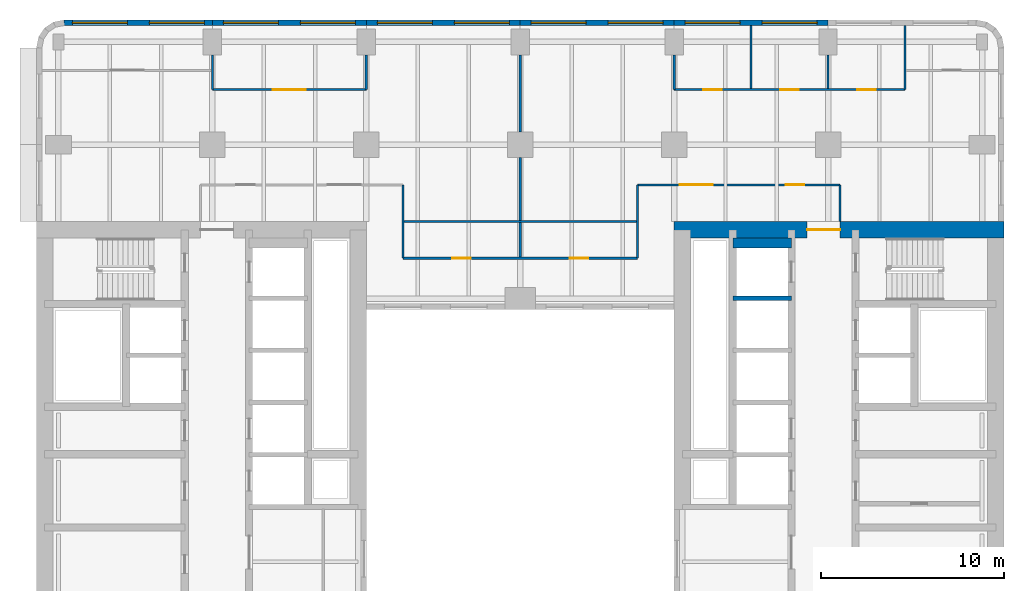
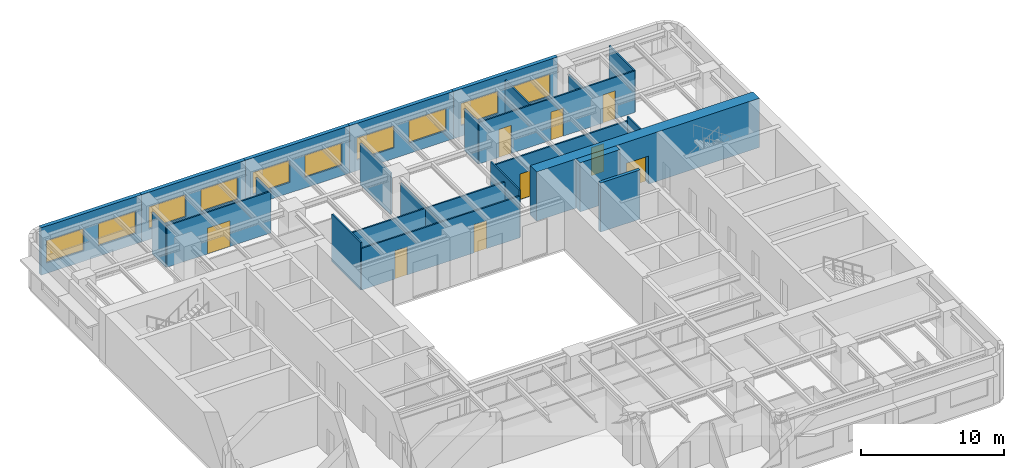
# One storey, part 7 of 11: 25 walls, 10 windows, 9 doors, 19 openings.
"""IFC4 building model written with IfcOpenShell, lengths in metres."""

from ifc_helpers import new_model, si_unit, direction, frame, frame_2d, origin, place, context, subcontext, project, spatial, rectangle, extrude, material, layer, layer_set, type_object, element, fill, save


model = new_model("IFC4")

# Units and contexts
model_context = context("Model", 3, precision=1e-05, world=origin(), true_north=direction((0.0, 1.0)))
body_context = subcontext(model_context, "Body", "Model", "MODEL_VIEW")
ifc_project = project(units=[si_unit("LENGTHUNIT", "METRE"), si_unit("AREAUNIT", "SQUARE_METRE"), si_unit("VOLUMEUNIT", "CUBIC_METRE"), si_unit("PLANEANGLEUNIT", "RADIAN"), si_unit("MASSUNIT", "GRAM", prefix="KILO")], contexts=[model_context])

# Site, building, storey
site_placement = place(None, origin())
site = spatial("IfcSite", under=ifc_project, at=site_placement, CompositionType="ELEMENT")
building_placement = place(site_placement, origin())
building = spatial("IfcBuilding", under=site, at=building_placement, Name="Claustro Exchange Tower", CompositionType="ELEMENT")
storey_placement = place(building_placement, frame((0.0, 0.0, 134.39990234375)))
storey = spatial("IfcBuildingStorey", under=building, at=storey_placement, Name="L30", CompositionType="ELEMENT", Elevation=134.39990234375)

# Wall, opening, door
ifc_material_1 = material(Name="Laminated glass in aluminium frame", Category="aluminium")
ifc_layer_1 = layer(ifc_material_1, 0.1201171875)
ifc_layer_set_1 = layer_set([ifc_layer_1], Name="Laminated glass in aluminium frame")
wall_type_1 = type_object("IfcWallType", Name="P2 120 glazed partition", PredefinedType="PARTITIONING", material=ifc_layer_set_1)
wall_1_placement = place(storey_placement, frame((8.39990234375, 45.0, 0.0), z_axis=(0.0, 0.0, 1.0), x_axis=(1.0, 0.0, 0.0)))
wall_1 = element("IfcWall", 1, at=wall_1_placement, inside=storey, type_object=wall_type_1, Name="Partition P2 L30", PredefinedType="PARTITIONING", context=body_context, shape_type="SweptSolid", body=[
    extrude(rectangle(XDim=8.400146484375, YDim=0.1201171875, at=frame_2d((4.2001953125, 0.0))), origin(), (0.0, 0.0, 1.0), 3.550048828125),
])
opening_1_placement = place(wall_1_placement, frame((3.300048828125, 0.0, 0.0)))
opening_1 = element("IfcOpeningElement", 2, at=opening_1_placement, cuts=wall_1, Name="Opening D2", PredefinedType="OPENING", context=body_context, shape_type="SweptSolid", body=[
    extrude(rectangle(XDim=1.800048828125, YDim=2.199951171875, at=frame_2d((0.89990234375, 1.10009765625))), frame((0.0, 0.070068359375, 0.0), z_axis=(0.0, -1.0, 0.0), x_axis=(1.0, 0.0, 0.0)), (0.0, 0.0, 1.0), 0.14013671875),
])
ifc_material_2 = material(Name="Timber door, oak veneer", Category="wood")
door_type_1 = type_object("IfcDoorType", Name="D2 1800 x 2200 double door", OperationType="DOUBLE_DOOR_SINGLE_SWING", PredefinedType="DOOR", material=ifc_material_2)
door_1_placement = place(opening_1_placement, origin())
door_1 = element("IfcDoor", 3, at=door_1_placement, inside=storey, type_object=door_type_1, Name="Double door D2 L30", OperationType="DOUBLE_DOOR_SINGLE_SWING", OverallHeight=2.199951171875, OverallWidth=1.800048828125, PredefinedType="DOOR", context=body_context, shape_type="SweptSolid", body=[
    extrude(rectangle(XDim=1.800048828125, YDim=2.199951171875, at=frame_2d((0.89990234375, 1.10009765625))), frame((0.0, 0.02490234375, 0.0), z_axis=(0.0, -1.0, 0.0), x_axis=(1.0, 0.0, 0.0)), (0.0, 0.0, 1.0), 0.050048828125),
])
fill(opening_1, door_1)

# Walls
for number, where, z_axis, x_axis, name in (
    (4, (8.39990234375, 45.0, 0.0), (0.0, 0.0, 1.0), (0.0, 1.0, 0.0), "Partition P2 L30"),
    (5, (16.800048828125, 45.0, 0.0), (0.0, 0.0, 1.0), (0.0, 1.0, 0.0), "Partition P2 L30"),
):
    element("IfcWall", number, at=place(storey_placement, frame(where, z_axis=z_axis, x_axis=x_axis)), inside=storey, type_object=wall_type_1, Name=name, PredefinedType="PARTITIONING", context=body_context, shape_type="SweptSolid", body=[
        extrude(rectangle(XDim=1.90087890625, YDim=0.1201171875, at=frame_2d((0.950439453125, 0.0))), origin(), (0.0, 0.0, 1.0), 3.550048828125),
    ])

# Wall, openings, doors
wall_2_placement = place(storey_placement, frame((33.60009765625, 45.0, 0.0), z_axis=(0.0, 0.0, 1.0), x_axis=(1.0, 0.0, 0.0)))
wall_2 = element("IfcWall", 6, at=wall_2_placement, inside=storey, type_object=wall_type_1, Name="Partition P2 L30", PredefinedType="PARTITIONING", context=body_context, shape_type="SweptSolid", body=[
    extrude(rectangle(XDim=12.599853515625, YDim=0.1201171875, at=frame_2d((6.2998046875, 0.0))), origin(), (0.0, 0.0, 1.0), 3.550048828125),
])
opening_2_placement = place(wall_2_placement, frame((1.60009765625, 0.0, 0.0)))
opening_2 = element("IfcOpeningElement", 7, at=opening_2_placement, cuts=wall_2, Name="Opening D7", PredefinedType="OPENING", context=body_context, shape_type="SweptSolid", body=[
    extrude(rectangle(XDim=1.0, YDim=2.39990234375, at=frame_2d((0.5, 1.199951171875))), frame((0.0, 0.070068359375, 0.0), z_axis=(0.0, -1.0, 0.0), x_axis=(1.0, 0.0, 0.0)), (0.0, 0.0, 1.0), 0.14013671875),
])
opening_3_placement = place(wall_2_placement, frame((5.800048828125, 0.0, 0.0)))
opening_3 = element("IfcOpeningElement", 8, at=opening_3_placement, cuts=wall_2, Name="Opening D7", PredefinedType="OPENING", context=body_context, shape_type="SweptSolid", body=[
    extrude(rectangle(XDim=1.0, YDim=2.39990234375, at=frame_2d((0.5, 1.199951171875))), frame((0.0, 0.070068359375, 0.0), z_axis=(0.0, -1.0, 0.0), x_axis=(1.0, 0.0, 0.0)), (0.0, 0.0, 1.0), 0.14013671875),
])
opening_4_placement = place(wall_2_placement, frame((10.0, 0.0, 0.0)))
opening_4 = element("IfcOpeningElement", 9, at=opening_4_placement, cuts=wall_2, Name="Opening D7", PredefinedType="OPENING", context=body_context, shape_type="SweptSolid", body=[
    extrude(rectangle(XDim=1.0, YDim=2.39990234375, at=frame_2d((0.5, 1.199951171875))), frame((0.0, 0.070068359375, 0.0), z_axis=(0.0, -1.0, 0.0), x_axis=(1.0, 0.0, 0.0)), (0.0, 0.0, 1.0), 0.14013671875),
])
ifc_material_3 = material(Name="Glass door in aluminium frame", Category="aluminium")
door_type_2 = type_object("IfcDoorType", Name="D7 1000 x 2400 glazed door", OperationType="SINGLE_SWING_LEFT", PredefinedType="DOOR", material=ifc_material_3)
door_2_placement = place(opening_2_placement, origin())
door_2 = element("IfcDoor", 10, at=door_2_placement, inside=storey, type_object=door_type_2, Name="Door D7 L30", OperationType="SINGLE_SWING_RIGHT", OverallHeight=2.39990234375, OverallWidth=1.0, PredefinedType="DOOR", context=body_context, shape_type="SweptSolid", body=[
    extrude(rectangle(XDim=1.0, YDim=2.39990234375, at=frame_2d((0.5, 1.199951171875))), frame((0.0, 0.02490234375, 0.0), z_axis=(0.0, -1.0, 0.0), x_axis=(1.0, 0.0, 0.0)), (0.0, 0.0, 1.0), 0.050048828125),
])
fill(opening_2, door_2)
door_3_placement = place(opening_3_placement, origin())
door_3 = element("IfcDoor", 11, at=door_3_placement, inside=storey, type_object=door_type_2, Name="Door D7 L30", OperationType="SINGLE_SWING_RIGHT", OverallHeight=2.39990234375, OverallWidth=1.0, PredefinedType="DOOR", context=body_context, shape_type="SweptSolid", body=[
    extrude(rectangle(XDim=1.0, YDim=2.39990234375, at=frame_2d((0.5, 1.199951171875))), frame((0.0, 0.02490234375, 0.0), z_axis=(0.0, -1.0, 0.0), x_axis=(1.0, 0.0, 0.0)), (0.0, 0.0, 1.0), 0.050048828125),
])
fill(opening_3, door_3)
door_4_placement = place(opening_4_placement, origin())
door_4 = element("IfcDoor", 12, at=door_4_placement, inside=storey, type_object=door_type_2, Name="Door D7 L30", OperationType="SINGLE_SWING_LEFT", OverallHeight=2.39990234375, OverallWidth=1.0, PredefinedType="DOOR", context=body_context, shape_type="SweptSolid", body=[
    extrude(rectangle(XDim=1.0, YDim=2.39990234375, at=frame_2d((0.5, 1.199951171875))), frame((0.0, 0.02490234375, 0.0), z_axis=(0.0, -1.0, 0.0), x_axis=(1.0, 0.0, 0.0)), (0.0, 0.0, 1.0), 0.050048828125),
])
fill(opening_4, door_4)

# Walls
wall_3_placement = place(storey_placement, frame((33.60009765625, 45.0, 0.0), z_axis=(0.0, 0.0, 1.0), x_axis=(0.0, 1.0, 0.0)))
element("IfcWall", 13, at=wall_3_placement, inside=storey, type_object=wall_type_1, Name="Partition P2 L30", PredefinedType="PARTITIONING", context=body_context, shape_type="SweptSolid", body=[
    extrude(rectangle(XDim=1.90087890625, YDim=0.1201171875, at=frame_2d((0.950439453125, 0.0))), origin(), (0.0, 0.0, 1.0), 3.550048828125),
])
wall_4_placement = place(storey_placement, frame((37.800048828125, 45.05810546875, 0.0), z_axis=(0.0, 0.0, 1.0), x_axis=(0.0, 1.0, 0.0)))
element("IfcWall", 14, at=wall_4_placement, inside=storey, type_object=wall_type_1, Name="Partition P2 L30", PredefinedType="PARTITIONING", context=body_context, shape_type="SweptSolid", body=[
    extrude(rectangle(XDim=3.44384765625, YDim=0.1201171875, at=frame_2d((1.721923828125, 0.0))), origin(), (0.0, 0.0, 1.0), 3.56005859375),
])
wall_5_placement = place(storey_placement, frame((42.0, 45.05810546875, 0.0), z_axis=(0.0, 0.0, 1.0), x_axis=(0.0, 1.0, 0.0)))
element("IfcWall", 15, at=wall_5_placement, inside=storey, type_object=wall_type_1, Name="Partition P2 L30", PredefinedType="PARTITIONING", context=body_context, shape_type="SweptSolid", body=[
    extrude(rectangle(XDim=1.8427734375, YDim=0.1201171875, at=frame_2d((0.92138671875, 0.0))), origin(), (0.0, 0.0, 1.0), 3.550048828125),
])
wall_6_placement = place(storey_placement, frame((46.199951171875, 45.0, 0.0), z_axis=(0.0, 0.0, 1.0), x_axis=(0.0, 1.0, 0.0)))
element("IfcWall", 16, at=wall_6_placement, inside=storey, type_object=wall_type_1, Name="Partition P2 L30", PredefinedType="PARTITIONING", context=body_context, shape_type="SweptSolid", body=[
    extrude(rectangle(XDim=3.501953125, YDim=0.1201171875, at=frame_2d((1.7509765625, 0.0))), origin(), (0.0, 0.0, 1.0), 3.56005859375),
])
wall_7_placement = place(storey_placement, frame((25.199951171875, 37.85791015625, 0.0), z_axis=(0.0, 0.0, 1.0), x_axis=(0.0, 1.0, 0.0)))
element("IfcWall", 17, at=wall_7_placement, inside=storey, type_object=wall_type_1, Name="Partition P2 L30", PredefinedType="PARTITIONING", context=body_context, shape_type="SweptSolid", body=[
    extrude(rectangle(XDim=3.443115234375, YDim=0.1201171875, at=frame_2d((1.7216796875, 0.0))), origin(), (0.0, 0.0, 1.0), 3.550048828125),
])
wall_8_placement = place(storey_placement, frame((25.199951171875, 42.698974609375, 0.0), z_axis=(0.0, 0.0, 1.0), x_axis=(0.0, 1.0, 0.0)))
element("IfcWall", 18, at=wall_8_placement, inside=storey, type_object=wall_type_1, Name="Partition P2 L30", PredefinedType="PARTITIONING", context=body_context, shape_type="SweptSolid", body=[
    extrude(rectangle(XDim=4.201904296875, YDim=0.1201171875, at=frame_2d((2.10107421875, 0.0))), origin(), (0.0, 0.0, 1.0), 3.550048828125),
])

# Wall, openings, doors
wall_9_placement = place(storey_placement, frame((31.60009765625, 39.800048828125, 0.0), z_axis=(0.0, 0.0, 1.0), x_axis=(1.0, 0.0, 0.0)))
wall_9 = element("IfcWall", 19, at=wall_9_placement, inside=storey, type_object=wall_type_1, Name="Partition P2 L30", PredefinedType="PARTITIONING", context=body_context, shape_type="SweptSolid", body=[
    extrude(rectangle(XDim=11.0498046875, YDim=0.1201171875, at=frame_2d((5.52490234375, 0.0))), origin(), (0.0, 0.0, 1.0), 3.690185546875),
])
opening_5_placement = place(wall_9_placement, frame((2.300048828125, 0.0, 0.0)))
opening_5 = element("IfcOpeningElement", 20, at=opening_5_placement, cuts=wall_9, Name="Opening D2", PredefinedType="OPENING", context=body_context, shape_type="SweptSolid", body=[
    extrude(rectangle(XDim=1.800048828125, YDim=2.199951171875, at=frame_2d((0.89990234375, 1.10009765625))), frame((0.0, 0.070068359375, 0.0), z_axis=(0.0, -1.0, 0.0), x_axis=(1.0, 0.0, 0.0)), (0.0, 0.0, 1.0), 0.14013671875),
])
opening_6_placement = place(wall_9_placement, frame((8.10009765625, 0.0, 0.0)))
opening_6 = element("IfcOpeningElement", 21, at=opening_6_placement, cuts=wall_9, Name="Opening D7", PredefinedType="OPENING", context=body_context, shape_type="SweptSolid", body=[
    extrude(rectangle(XDim=1.0, YDim=2.39990234375, at=frame_2d((0.5, 1.199951171875))), frame((0.0, 0.070068359375, 0.0), z_axis=(0.0, -1.0, 0.0), x_axis=(1.0, 0.0, 0.0)), (0.0, 0.0, 1.0), 0.14013671875),
])
door_5_placement = place(opening_5_placement, origin())
door_5 = element("IfcDoor", 22, at=door_5_placement, inside=storey, type_object=door_type_1, Name="Double door D2 L30", OperationType="DOUBLE_DOOR_SINGLE_SWING", OverallHeight=2.199951171875, OverallWidth=1.800048828125, PredefinedType="DOOR", context=body_context, shape_type="SweptSolid", body=[
    extrude(rectangle(XDim=1.800048828125, YDim=2.199951171875, at=frame_2d((0.89990234375, 1.10009765625))), frame((0.0, 0.02490234375, 0.0), z_axis=(0.0, -1.0, 0.0), x_axis=(1.0, 0.0, 0.0)), (0.0, 0.0, 1.0), 0.050048828125),
])
fill(opening_5, door_5)
door_6_placement = place(opening_6_placement, origin())
door_6 = element("IfcDoor", 23, at=door_6_placement, inside=storey, type_object=door_type_2, Name="Door D7 L30", OperationType="SINGLE_SWING_RIGHT", OverallHeight=2.39990234375, OverallWidth=1.0, PredefinedType="DOOR", context=body_context, shape_type="SweptSolid", body=[
    extrude(rectangle(XDim=1.0, YDim=2.39990234375, at=frame_2d((0.5, 1.199951171875))), frame((0.0, 0.02490234375, 0.0), z_axis=(0.0, -1.0, 0.0), x_axis=(1.0, 0.0, 0.0)), (0.0, 0.0, 1.0), 0.050048828125),
])
fill(opening_6, door_6)

# Walls
wall_10_placement = place(storey_placement, frame((42.64990234375, 37.800048828125, 0.0), z_axis=(0.0, 0.0, 1.0), x_axis=(0.0, 1.0, 0.0)))
element("IfcWall", 24, at=wall_10_placement, inside=storey, type_object=wall_type_1, Name="Partition P2 L30", PredefinedType="PARTITIONING", context=body_context, shape_type="SweptSolid", body=[
    extrude(rectangle(XDim=2.0, YDim=0.1201171875, at=frame_2d((1.0, 0.0))), origin(), (0.0, 0.0, 1.0), 4.050048828125),
])
for number, where, z_axis, x_axis, name in (
    (25, (18.800048828125, 35.800048828125, 0.0), (0.0, 0.0, 1.0), (0.0, 1.0, 0.0), "Partition P2 L30"),
    (26, (31.60009765625, 35.800048828125, 0.0), (0.0, 0.0, 1.0), (0.0, 1.0, 0.0), "Partition P2 L30"),
):
    element("IfcWall", number, at=place(storey_placement, frame(where, z_axis=z_axis, x_axis=x_axis)), inside=storey, type_object=wall_type_1, Name=name, PredefinedType="PARTITIONING", context=body_context, shape_type="SweptSolid", body=[
        extrude(rectangle(XDim=4.0, YDim=0.1201171875, at=frame_2d((2.0, 0.0))), origin(), (0.0, 0.0, 1.0), 4.050048828125),
    ])
wall_11_placement = place(storey_placement, frame((25.199951171875, 35.85791015625, 0.0), z_axis=(0.0, 0.0, 1.0), x_axis=(0.0, 1.0, 0.0)))
element("IfcWall", 27, at=wall_11_placement, inside=storey, type_object=wall_type_1, Name="Partition P2 L30", PredefinedType="PARTITIONING", context=body_context, shape_type="SweptSolid", body=[
    extrude(rectangle(XDim=1.884033203125, YDim=0.1201171875, at=frame_2d((0.94189453125, 0.0))), origin(), (0.0, 0.0, 1.0), 3.550048828125),
])

# Wall, openings, doors
wall_12_placement = place(storey_placement, frame((18.800048828125, 35.800048828125, 0.0), z_axis=(0.0, 0.0, 1.0), x_axis=(1.0, 0.0, 0.0)))
wall_12 = element("IfcWall", 28, at=wall_12_placement, inside=storey, type_object=wall_type_1, Name="Partition P2 L30", PredefinedType="PARTITIONING", context=body_context, shape_type="SweptSolid", body=[
    extrude(rectangle(XDim=12.800048828125, YDim=0.1201171875, at=frame_2d((6.39990234375, 0.0))), origin(), (0.0, 0.0, 1.0), 3.550048828125),
])
opening_7_placement = place(wall_12_placement, frame((2.699951171875, 0.0, 0.0)))
opening_7 = element("IfcOpeningElement", 29, at=opening_7_placement, cuts=wall_12, Name="Opening D7", PredefinedType="OPENING", context=body_context, shape_type="SweptSolid", body=[
    extrude(rectangle(XDim=1.0, YDim=2.39990234375, at=frame_2d((0.5, 1.199951171875))), frame((0.0, 0.070068359375, 0.0), z_axis=(0.0, -1.0, 0.0), x_axis=(1.0, 0.0, 0.0)), (0.0, 0.0, 1.0), 0.14013671875),
])
opening_8_placement = place(wall_12_placement, frame((9.10009765625, 0.0, 0.0)))
opening_8 = element("IfcOpeningElement", 30, at=opening_8_placement, cuts=wall_12, Name="Opening D7", PredefinedType="OPENING", context=body_context, shape_type="SweptSolid", body=[
    extrude(rectangle(XDim=1.0, YDim=2.39990234375, at=frame_2d((0.5, 1.199951171875))), frame((0.0, 0.070068359375, 0.0), z_axis=(0.0, -1.0, 0.0), x_axis=(1.0, 0.0, 0.0)), (0.0, 0.0, 1.0), 0.14013671875),
])
door_7_placement = place(opening_7_placement, origin())
door_7 = element("IfcDoor", 31, at=door_7_placement, inside=storey, type_object=door_type_2, Name="Door D7 L30", OperationType="SINGLE_SWING_RIGHT", OverallHeight=2.39990234375, OverallWidth=1.0, PredefinedType="DOOR", context=body_context, shape_type="SweptSolid", body=[
    extrude(rectangle(XDim=1.0, YDim=2.39990234375, at=frame_2d((0.5, 1.199951171875))), frame((0.0, 0.02490234375, 0.0), z_axis=(0.0, -1.0, 0.0), x_axis=(1.0, 0.0, 0.0)), (0.0, 0.0, 1.0), 0.050048828125),
])
fill(opening_7, door_7)
door_8_placement = place(opening_8_placement, origin())
door_8 = element("IfcDoor", 32, at=door_8_placement, inside=storey, type_object=door_type_2, Name="Door D7 L30", OperationType="SINGLE_SWING_LEFT", OverallHeight=2.39990234375, OverallWidth=1.0, PredefinedType="DOOR", context=body_context, shape_type="SweptSolid", body=[
    extrude(rectangle(XDim=1.0, YDim=2.39990234375, at=frame_2d((0.5, 1.199951171875))), frame((0.0, 0.02490234375, 0.0), z_axis=(0.0, -1.0, 0.0), x_axis=(1.0, 0.0, 0.0)), (0.0, 0.0, 1.0), 0.050048828125),
])
fill(opening_8, door_8)

# Wall
wall_13_placement = place(storey_placement, frame((18.85791015625, 37.800048828125, 0.0), z_axis=(0.0, 0.0, 1.0), x_axis=(1.0, 0.0, 0.0)))
element("IfcWall", 33, at=wall_13_placement, inside=storey, type_object=wall_type_1, Name="Partition P2 L30", PredefinedType="PARTITIONING", context=body_context, shape_type="SweptSolid", body=[
    extrude(rectangle(XDim=12.68408203125, YDim=0.1201171875, at=frame_2d((6.342041015625, 0.0))), origin(), (0.0, 0.0, 1.0), 3.550048828125),
])

# Wall, openings, windows
ifc_material_4 = material(Name="Concrete HA-40 (C40/50), precast, white cement, acid-etched", Category="concrete")
ifc_layer_2 = layer(ifc_material_4, 0.300048828125)
ifc_layer_set_2 = layer_set([ifc_layer_2], Name="Concrete HA-40 (C40/50), precast, white cement, acid-etched")
wall_type_2 = type_object("IfcWallType", Name="PC1 300 precast concrete pier panel", PredefinedType="SOLIDWALL", material=ifc_layer_set_2)
wall_14_placement = place(storey_placement, frame((0.314697265625, 48.64990234375, 0.0), z_axis=(0.0, 0.0, 1.0), x_axis=(1.0, 0.0, 0.0)))
wall_14 = element("IfcWall", 34, at=wall_14_placement, inside=storey, type_object=wall_type_2, Name="Precast pier panel PC1 L30", PredefinedType="SOLIDWALL", context=body_context, shape_type="SweptSolid", body=[
    extrude(rectangle(XDim=8.085205078125, YDim=0.300048828125, at=frame_2d((4.04248046875, 0.0))), origin(), (0.0, 0.0, 1.0), 4.050048828125),
])
opening_9_placement = place(wall_14_placement, frame((0.442626953125, 0.0, 0.89990234375)))
opening_9 = element("IfcOpeningElement", 35, at=opening_9_placement, cuts=wall_14, Name="Opening W1", PredefinedType="OPENING", context=body_context, shape_type="SweptSolid", body=[
    extrude(rectangle(XDim=3.0, YDim=1.89990234375, at=frame_2d((1.5, 0.949951171875))), frame((0.0, 0.159912109375, 0.0), z_axis=(0.0, -1.0, 0.0), x_axis=(1.0, 0.0, 0.0)), (0.0, 0.0, 1.0), 0.320068359375),
])
opening_10_placement = place(wall_14_placement, frame((4.642578125, 0.0, 0.89990234375)))
opening_10 = element("IfcOpeningElement", 36, at=opening_10_placement, cuts=wall_14, Name="Opening W1", PredefinedType="OPENING", context=body_context, shape_type="SweptSolid", body=[
    extrude(rectangle(XDim=3.0, YDim=1.89990234375, at=frame_2d((1.5, 0.949951171875))), frame((0.0, 0.159912109375, 0.0), z_axis=(0.0, -1.0, 0.0), x_axis=(1.0, 0.0, 0.0)), (0.0, 0.0, 1.0), 0.320068359375),
])
ifc_material_5 = material(Name="Aluminium frame, clear double glazing", Category="aluminium")
window_type = type_object("IfcWindowType", Name="W1 3000 x 1900 window", PartitioningType="SINGLE_PANEL", PredefinedType="WINDOW", material=ifc_material_5)
window_1_placement = place(opening_9_placement, origin())
window_1 = element("IfcWindow", 37, at=window_1_placement, inside=storey, type_object=window_type, Name="Window W1 L30", OverallHeight=1.89990234375, OverallWidth=3.0, PartitioningType="SINGLE_PANEL", PredefinedType="WINDOW", context=body_context, shape_type="SweptSolid", body=[
    extrude(rectangle(XDim=3.0, YDim=1.89990234375, at=frame_2d((1.5, 0.949951171875))), frame((0.0, 0.030029296875, 0.0), z_axis=(0.0, -1.0, 0.0), x_axis=(1.0, 0.0, 0.0)), (0.0, 0.0, 1.0), 0.06005859375),
])
fill(opening_9, window_1)
window_2_placement = place(opening_10_placement, origin())
window_2 = element("IfcWindow", 38, at=window_2_placement, inside=storey, type_object=window_type, Name="Window W1 L30", OverallHeight=1.89990234375, OverallWidth=3.0, PartitioningType="SINGLE_PANEL", PredefinedType="WINDOW", context=body_context, shape_type="SweptSolid", body=[
    extrude(rectangle(XDim=3.0, YDim=1.89990234375, at=frame_2d((1.5, 0.949951171875))), frame((0.0, 0.030029296875, 0.0), z_axis=(0.0, -1.0, 0.0), x_axis=(1.0, 0.0, 0.0)), (0.0, 0.0, 1.0), 0.06005859375),
])
fill(opening_10, window_2)

wall_15_placement = place(storey_placement, frame((8.39990234375, 48.64990234375, 0.0), z_axis=(0.0, 0.0, 1.0), x_axis=(1.0, 0.0, 0.0)))
wall_15 = element("IfcWall", 39, at=wall_15_placement, inside=storey, type_object=wall_type_2, Name="Precast pier panel PC1 L30", PredefinedType="SOLIDWALL", context=body_context, shape_type="SweptSolid", body=[
    extrude(rectangle(XDim=8.400146484375, YDim=0.300048828125, at=frame_2d((4.2001953125, 0.0))), origin(), (0.0, 0.0, 1.0), 4.050048828125),
])
opening_11_placement = place(wall_15_placement, frame((0.60009765625, 0.0, 0.89990234375)))
opening_11 = element("IfcOpeningElement", 40, at=opening_11_placement, cuts=wall_15, Name="Opening W1", PredefinedType="OPENING", context=body_context, shape_type="SweptSolid", body=[
    extrude(rectangle(XDim=3.0, YDim=1.89990234375, at=frame_2d((1.5, 0.949951171875))), frame((0.0, 0.159912109375, 0.0), z_axis=(0.0, -1.0, 0.0), x_axis=(1.0, 0.0, 0.0)), (0.0, 0.0, 1.0), 0.320068359375),
])
opening_12_placement = place(wall_15_placement, frame((4.800048828125, 0.0, 0.89990234375)))
opening_12 = element("IfcOpeningElement", 41, at=opening_12_placement, cuts=wall_15, Name="Opening W1", PredefinedType="OPENING", context=body_context, shape_type="SweptSolid", body=[
    extrude(rectangle(XDim=3.0, YDim=1.89990234375, at=frame_2d((1.5, 0.949951171875))), frame((0.0, 0.159912109375, 0.0), z_axis=(0.0, -1.0, 0.0), x_axis=(1.0, 0.0, 0.0)), (0.0, 0.0, 1.0), 0.320068359375),
])
window_3_placement = place(opening_11_placement, origin())
window_3 = element("IfcWindow", 42, at=window_3_placement, inside=storey, type_object=window_type, Name="Window W1 L30", OverallHeight=1.89990234375, OverallWidth=3.0, PartitioningType="SINGLE_PANEL", PredefinedType="WINDOW", context=body_context, shape_type="SweptSolid", body=[
    extrude(rectangle(XDim=3.0, YDim=1.89990234375, at=frame_2d((1.5, 0.949951171875))), frame((0.0, 0.030029296875, 0.0), z_axis=(0.0, -1.0, 0.0), x_axis=(1.0, 0.0, 0.0)), (0.0, 0.0, 1.0), 0.06005859375),
])
fill(opening_11, window_3)
window_4_placement = place(opening_12_placement, origin())
window_4 = element("IfcWindow", 43, at=window_4_placement, inside=storey, type_object=window_type, Name="Window W1 L30", OverallHeight=1.89990234375, OverallWidth=3.0, PartitioningType="SINGLE_PANEL", PredefinedType="WINDOW", context=body_context, shape_type="SweptSolid", body=[
    extrude(rectangle(XDim=3.0, YDim=1.89990234375, at=frame_2d((1.5, 0.949951171875))), frame((0.0, 0.030029296875, 0.0), z_axis=(0.0, -1.0, 0.0), x_axis=(1.0, 0.0, 0.0)), (0.0, 0.0, 1.0), 0.06005859375),
])
fill(opening_12, window_4)

wall_16_placement = place(storey_placement, frame((16.800048828125, 48.64990234375, 0.0), z_axis=(0.0, 0.0, 1.0), x_axis=(1.0, 0.0, 0.0)))
wall_16 = element("IfcWall", 44, at=wall_16_placement, inside=storey, type_object=wall_type_2, Name="Precast pier panel PC1 L30", PredefinedType="SOLIDWALL", context=body_context, shape_type="SweptSolid", body=[
    extrude(rectangle(XDim=8.39990234375, YDim=0.300048828125, at=frame_2d((4.199951171875, 0.0))), origin(), (0.0, 0.0, 1.0), 4.050048828125),
])
opening_13_placement = place(wall_16_placement, frame((0.60009765625, 0.0, 0.89990234375)))
opening_13 = element("IfcOpeningElement", 45, at=opening_13_placement, cuts=wall_16, Name="Opening W1", PredefinedType="OPENING", context=body_context, shape_type="SweptSolid", body=[
    extrude(rectangle(XDim=3.0, YDim=1.89990234375, at=frame_2d((1.5, 0.949951171875))), frame((0.0, 0.159912109375, 0.0), z_axis=(0.0, -1.0, 0.0), x_axis=(1.0, 0.0, 0.0)), (0.0, 0.0, 1.0), 0.320068359375),
])
opening_14_placement = place(wall_16_placement, frame((4.800048828125, 0.0, 0.89990234375)))
opening_14 = element("IfcOpeningElement", 46, at=opening_14_placement, cuts=wall_16, Name="Opening W1", PredefinedType="OPENING", context=body_context, shape_type="SweptSolid", body=[
    extrude(rectangle(XDim=3.0, YDim=1.89990234375, at=frame_2d((1.5, 0.949951171875))), frame((0.0, 0.159912109375, 0.0), z_axis=(0.0, -1.0, 0.0), x_axis=(1.0, 0.0, 0.0)), (0.0, 0.0, 1.0), 0.320068359375),
])
window_5_placement = place(opening_13_placement, origin())
window_5 = element("IfcWindow", 47, at=window_5_placement, inside=storey, type_object=window_type, Name="Window W1 L30", OverallHeight=1.89990234375, OverallWidth=3.0, PartitioningType="SINGLE_PANEL", PredefinedType="WINDOW", context=body_context, shape_type="SweptSolid", body=[
    extrude(rectangle(XDim=3.0, YDim=1.89990234375, at=frame_2d((1.5, 0.949951171875))), frame((0.0, 0.030029296875, 0.0), z_axis=(0.0, -1.0, 0.0), x_axis=(1.0, 0.0, 0.0)), (0.0, 0.0, 1.0), 0.06005859375),
])
fill(opening_13, window_5)
window_6_placement = place(opening_14_placement, origin())
window_6 = element("IfcWindow", 48, at=window_6_placement, inside=storey, type_object=window_type, Name="Window W1 L30", OverallHeight=1.89990234375, OverallWidth=3.0, PartitioningType="SINGLE_PANEL", PredefinedType="WINDOW", context=body_context, shape_type="SweptSolid", body=[
    extrude(rectangle(XDim=3.0, YDim=1.89990234375, at=frame_2d((1.5, 0.949951171875))), frame((0.0, 0.030029296875, 0.0), z_axis=(0.0, -1.0, 0.0), x_axis=(1.0, 0.0, 0.0)), (0.0, 0.0, 1.0), 0.06005859375),
])
fill(opening_14, window_6)

wall_17_placement = place(storey_placement, frame((25.199951171875, 48.64990234375, 0.0), z_axis=(0.0, 0.0, 1.0), x_axis=(1.0, 0.0, 0.0)))
wall_17 = element("IfcWall", 49, at=wall_17_placement, inside=storey, type_object=wall_type_2, Name="Precast pier panel PC1 L30", PredefinedType="SOLIDWALL", context=body_context, shape_type="SweptSolid", body=[
    extrude(rectangle(XDim=8.400146484375, YDim=0.300048828125, at=frame_2d((4.2001953125, 0.0))), origin(), (0.0, 0.0, 1.0), 4.050048828125),
])
opening_15_placement = place(wall_17_placement, frame((0.60009765625, 0.0, 0.89990234375)))
opening_15 = element("IfcOpeningElement", 50, at=opening_15_placement, cuts=wall_17, Name="Opening W1", PredefinedType="OPENING", context=body_context, shape_type="SweptSolid", body=[
    extrude(rectangle(XDim=3.0, YDim=1.89990234375, at=frame_2d((1.5, 0.949951171875))), frame((0.0, 0.159912109375, 0.0), z_axis=(0.0, -1.0, 0.0), x_axis=(1.0, 0.0, 0.0)), (0.0, 0.0, 1.0), 0.320068359375),
])
opening_16_placement = place(wall_17_placement, frame((4.800048828125, 0.0, 0.89990234375)))
opening_16 = element("IfcOpeningElement", 51, at=opening_16_placement, cuts=wall_17, Name="Opening W1", PredefinedType="OPENING", context=body_context, shape_type="SweptSolid", body=[
    extrude(rectangle(XDim=3.0, YDim=1.89990234375, at=frame_2d((1.5, 0.949951171875))), frame((0.0, 0.159912109375, 0.0), z_axis=(0.0, -1.0, 0.0), x_axis=(1.0, 0.0, 0.0)), (0.0, 0.0, 1.0), 0.320068359375),
])
window_7_placement = place(opening_15_placement, origin())
window_7 = element("IfcWindow", 52, at=window_7_placement, inside=storey, type_object=window_type, Name="Window W1 L30", OverallHeight=1.89990234375, OverallWidth=3.0, PartitioningType="SINGLE_PANEL", PredefinedType="WINDOW", context=body_context, shape_type="SweptSolid", body=[
    extrude(rectangle(XDim=3.0, YDim=1.89990234375, at=frame_2d((1.5, 0.949951171875))), frame((0.0, 0.030029296875, 0.0), z_axis=(0.0, -1.0, 0.0), x_axis=(1.0, 0.0, 0.0)), (0.0, 0.0, 1.0), 0.06005859375),
])
fill(opening_15, window_7)
window_8_placement = place(opening_16_placement, origin())
window_8 = element("IfcWindow", 53, at=window_8_placement, inside=storey, type_object=window_type, Name="Window W1 L30", OverallHeight=1.89990234375, OverallWidth=3.0, PartitioningType="SINGLE_PANEL", PredefinedType="WINDOW", context=body_context, shape_type="SweptSolid", body=[
    extrude(rectangle(XDim=3.0, YDim=1.89990234375, at=frame_2d((1.5, 0.949951171875))), frame((0.0, 0.030029296875, 0.0), z_axis=(0.0, -1.0, 0.0), x_axis=(1.0, 0.0, 0.0)), (0.0, 0.0, 1.0), 0.06005859375),
])
fill(opening_16, window_8)

wall_18_placement = place(storey_placement, frame((33.60009765625, 48.64990234375, 0.0), z_axis=(0.0, 0.0, 1.0), x_axis=(1.0, 0.0, 0.0)))
wall_18 = element("IfcWall", 54, at=wall_18_placement, inside=storey, type_object=wall_type_2, Name="Precast pier panel PC1 L30", PredefinedType="SOLIDWALL", context=body_context, shape_type="SweptSolid", body=[
    extrude(rectangle(XDim=8.39990234375, YDim=0.300048828125, at=frame_2d((4.199951171875, 0.0))), origin(), (0.0, 0.0, 1.0), 4.050048828125),
])
opening_17_placement = place(wall_18_placement, frame((0.60009765625, 0.0, 0.89990234375)))
opening_17 = element("IfcOpeningElement", 55, at=opening_17_placement, cuts=wall_18, Name="Opening W1", PredefinedType="OPENING", context=body_context, shape_type="SweptSolid", body=[
    extrude(rectangle(XDim=3.0, YDim=1.89990234375, at=frame_2d((1.5, 0.949951171875))), frame((0.0, 0.159912109375, 0.0), z_axis=(0.0, -1.0, 0.0), x_axis=(1.0, 0.0, 0.0)), (0.0, 0.0, 1.0), 0.320068359375),
])
opening_18_placement = place(wall_18_placement, frame((4.800048828125, 0.0, 0.89990234375)))
opening_18 = element("IfcOpeningElement", 56, at=opening_18_placement, cuts=wall_18, Name="Opening W1", PredefinedType="OPENING", context=body_context, shape_type="SweptSolid", body=[
    extrude(rectangle(XDim=3.0, YDim=1.89990234375, at=frame_2d((1.5, 0.949951171875))), frame((0.0, 0.159912109375, 0.0), z_axis=(0.0, -1.0, 0.0), x_axis=(1.0, 0.0, 0.0)), (0.0, 0.0, 1.0), 0.320068359375),
])
window_9_placement = place(opening_17_placement, origin())
window_9 = element("IfcWindow", 57, at=window_9_placement, inside=storey, type_object=window_type, Name="Window W1 L30", OverallHeight=1.89990234375, OverallWidth=3.0, PartitioningType="SINGLE_PANEL", PredefinedType="WINDOW", context=body_context, shape_type="SweptSolid", body=[
    extrude(rectangle(XDim=3.0, YDim=1.89990234375, at=frame_2d((1.5, 0.949951171875))), frame((0.0, 0.030029296875, 0.0), z_axis=(0.0, -1.0, 0.0), x_axis=(1.0, 0.0, 0.0)), (0.0, 0.0, 1.0), 0.06005859375),
])
fill(opening_17, window_9)
window_10_placement = place(opening_18_placement, origin())
window_10 = element("IfcWindow", 58, at=window_10_placement, inside=storey, type_object=window_type, Name="Window W1 L30", OverallHeight=1.89990234375, OverallWidth=3.0, PartitioningType="SINGLE_PANEL", PredefinedType="WINDOW", context=body_context, shape_type="SweptSolid", body=[
    extrude(rectangle(XDim=3.0, YDim=1.89990234375, at=frame_2d((1.5, 0.949951171875))), frame((0.0, 0.030029296875, 0.0), z_axis=(0.0, -1.0, 0.0), x_axis=(1.0, 0.0, 0.0)), (0.0, 0.0, 1.0), 0.06005859375),
])
fill(opening_18, window_10)

# Wall, opening, door
ifc_material_6 = material(Name="Concrete HA-70 (C70/85)", Category="concrete")
ifc_layer_3 = layer(ifc_material_6, 0.89990234375)
ifc_layer_set_3 = layer_set([ifc_layer_3], Name="Concrete HA-70 (C70/85)")
wall_type_3 = type_object("IfcWallType", Name="SW1 900 core shear wall", PredefinedType="SHEAR", material=ifc_layer_set_3)
wall_19_placement = place(storey_placement, frame((33.60009765625, 37.35009765625, 0.0), z_axis=(0.0, 0.0, 1.0), x_axis=(1.0, 0.0, 0.0)))
wall_19 = element("IfcWall", 59, at=wall_19_placement, inside=storey, type_object=wall_type_3, Name="Core wall SW1 E core N face L30", PredefinedType="SHEAR", context=body_context, shape_type="SweptSolid", body=[
    extrude(rectangle(XDim=18.0, YDim=0.89990234375, at=frame_2d((9.0, 0.0))), origin(), (0.0, 0.0, 1.0), 4.2001953125),
])
opening_19_placement = place(wall_19_placement, frame((7.25, 0.0, 0.0)))
opening_19 = element("IfcOpeningElement", 60, at=opening_19_placement, cuts=wall_19, Name="Opening D3", PredefinedType="OPENING", context=body_context, shape_type="SweptSolid", body=[
    extrude(rectangle(XDim=1.800048828125, YDim=2.39990234375, at=frame_2d((0.89990234375, 1.199951171875))), frame((0.0, 0.4599609375, 0.0), z_axis=(0.0, -1.0, 0.0), x_axis=(1.0, 0.0, 0.0)), (0.0, 0.0, 1.0), 0.919921875),
])
ifc_material_7 = material(Name="Steel fire door, painted", Category="steel")
door_type_3 = type_object("IfcDoorType", Name="D3 1800 x 2400 fire-rated lobby double door", OperationType="DOUBLE_DOOR_SINGLE_SWING", PredefinedType="DOOR", material=ifc_material_7)
door_9_placement = place(opening_19_placement, frame((1.800048828125, 0.0, 0.0), z_axis=(0.0, 0.0, 1.0), x_axis=(-1.0, 0.0, 0.0)))
door_9 = element("IfcDoor", 61, at=door_9_placement, inside=storey, type_object=door_type_3, Name="Lift lobby door D3 L30", OperationType="DOUBLE_DOOR_SINGLE_SWING", OverallHeight=2.39990234375, OverallWidth=1.800048828125, PredefinedType="DOOR", context=body_context, shape_type="SweptSolid", body=[
    extrude(rectangle(XDim=1.800048828125, YDim=2.39990234375, at=frame_2d((0.89990234375, 1.199951171875))), frame((0.0, 0.02490234375, 0.0), z_axis=(0.0, -1.0, 0.0), x_axis=(1.0, 0.0, 0.0)), (0.0, 0.0, 1.0), 0.050048828125),
])
fill(opening_19, door_9)

# Walls
ifc_material_8 = material(Name="Concrete HA-50 (C50/60)", Category="concrete")
ifc_layer_4 = layer(ifc_material_8, 0.25)
ifc_layer_set_4 = layer_set([ifc_layer_4], Name="Concrete HA-50 (C50/60)")
wall_type_4 = type_object("IfcWallType", Name="SW5 250 lift shaft divider wall", PredefinedType="SHEAR", material=ifc_layer_set_4)
wall_20_placement = place(storey_placement, frame((40.0, 33.625, 0.0), z_axis=(0.0, 0.0, 1.0), x_axis=(-1.0, 0.0, 0.0)))
element("IfcWall", 62, at=wall_20_placement, inside=storey, type_object=wall_type_4, Name="Lift shaft wall E core L30", PredefinedType="SHEAR", context=body_context, shape_type="SweptSolid", body=[
    extrude(rectangle(XDim=3.199951171875, YDim=0.25, at=frame_2d((1.60009765625, 0.0))), origin(), (0.0, 0.0, 1.0), 4.2001953125),
])
ifc_material_9 = material(Name="Concrete HA-50 (C50/60)", Category="concrete")
ifc_layer_5 = layer(ifc_material_9, 0.550048828125)
ifc_layer_set_5 = layer_set([ifc_layer_5], Name="Concrete HA-50 (C50/60)")
wall_type_5 = type_object("IfcWallType", Name="SW6 550 lift shaft end wall", PredefinedType="SHEAR", material=ifc_layer_set_5)
wall_21_placement = place(storey_placement, frame((40.0, 36.625, 0.0), z_axis=(0.0, 0.0, 1.0), x_axis=(-1.0, 0.0, 0.0)))
element("IfcWall", 63, at=wall_21_placement, inside=storey, type_object=wall_type_5, Name="Lift shaft wall E core L30", PredefinedType="SHEAR", context=body_context, shape_type="SweptSolid", body=[
    extrude(rectangle(XDim=3.199951171875, YDim=0.550048828125, at=frame_2d((1.60009765625, 0.0))), origin(), (0.0, 0.0, 1.0), 4.2001953125),
])

save(model, "model.ifc")
